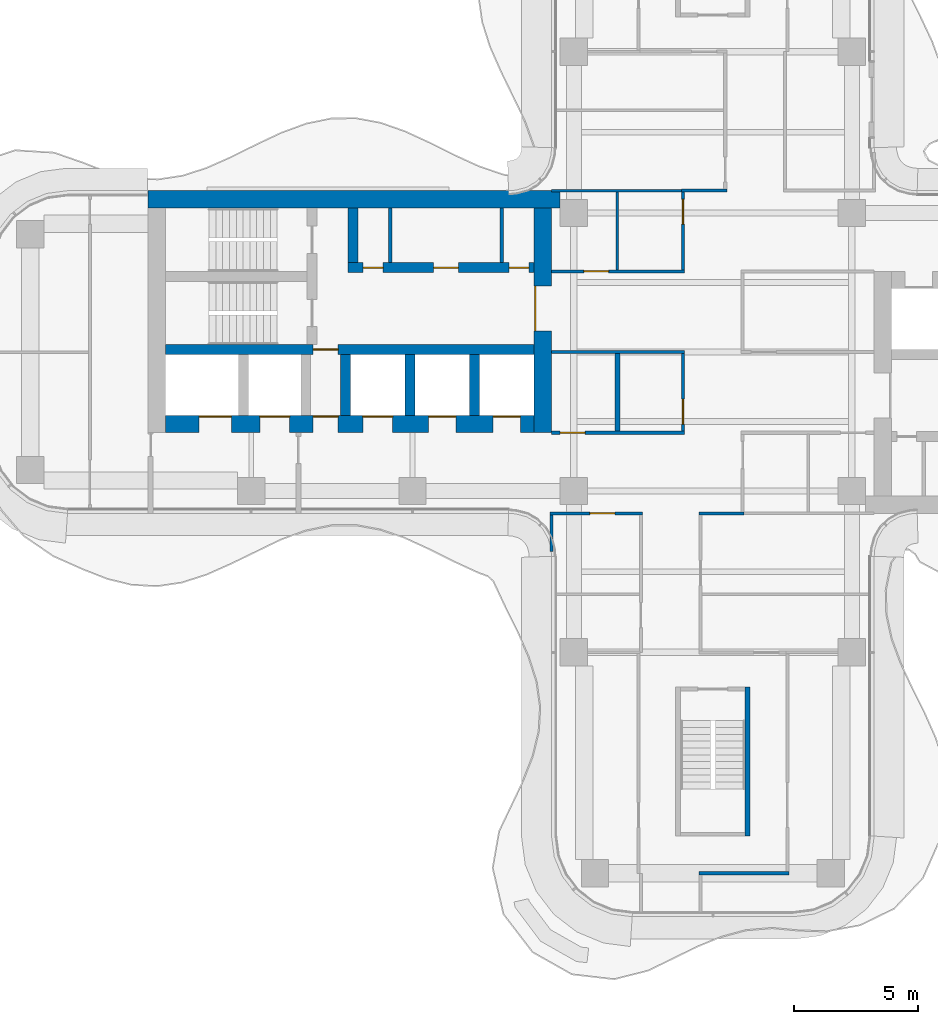
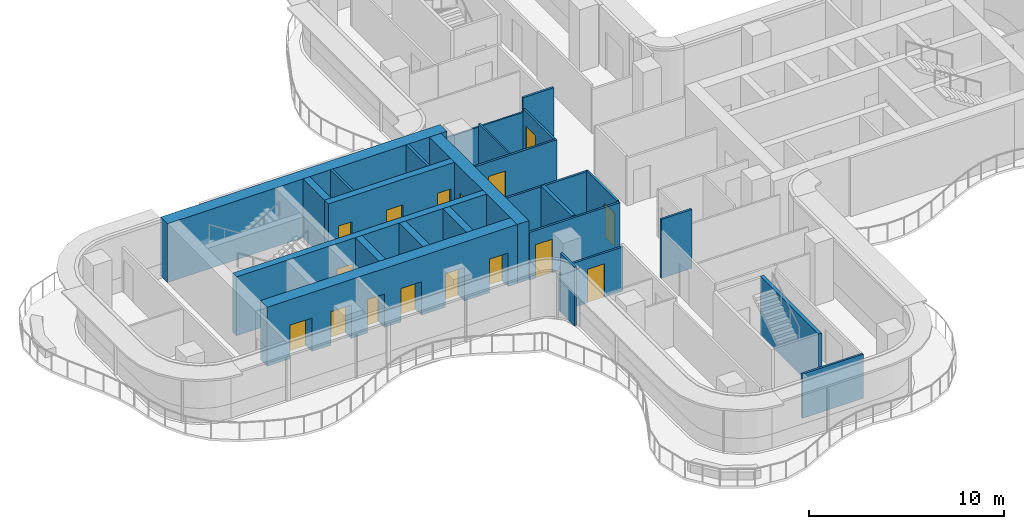
# One storey, part 12 of 17: 25 walls, 16 doors, 16 openings.
"""IFC4 building model written with IfcOpenShell, lengths in metres."""

from ifc_helpers import new_model, si_unit, direction, frame, frame_2d, origin, place, context, subcontext, project, spatial, rectangle, extrude, source, transform, mapped, material, layer, layer_set, type_object, element, fill, save


model = new_model("IFC4")

# Units and contexts
model_context = context("Model", 3, precision=1e-05, world=origin(), true_north=direction((0.0, 1.0)))
body_context = subcontext(model_context, "Body", "Model", "MODEL_VIEW")
ifc_project = project(units=[si_unit("LENGTHUNIT", "METRE"), si_unit("AREAUNIT", "SQUARE_METRE"), si_unit("VOLUMEUNIT", "CUBIC_METRE"), si_unit("PLANEANGLEUNIT", "RADIAN"), si_unit("MASSUNIT", "GRAM", prefix="KILO")], contexts=[model_context])

# Site, building, storey
site_placement = place(None, origin())
site = spatial("IfcSite", under=ifc_project, at=site_placement, CompositionType="ELEMENT")
building_placement = place(site_placement, origin())
building = spatial("IfcBuilding", under=site, at=building_placement, Name="Trellis Farm Tower", CompositionType="ELEMENT")
storey_placement = place(building_placement, frame((0.0, 0.0, 259.699951171875)))
storey = spatial("IfcBuildingStorey", under=building, at=storey_placement, Name="L58", CompositionType="ELEMENT", Elevation=259.699951171875)

# Wall, opening, door
ifc_material_1 = material(Name="Concrete C60/75", Category="concrete")
ifc_layer_1 = layer(ifc_material_1, 0.699951171875)
ifc_layer_set_1 = layer_set([ifc_layer_1], Name="CORE OUTER WALL 700 CONCRETE C60/75")
wall_type_1 = type_object("IfcWallType", Name="CORE OUTER WALL 700 CONCRETE C60/75", PredefinedType="SHEAR", material=ifc_layer_set_1)
shared_shape_1 = source(origin(), body_context, "Body", "SweptSolid", [
    extrude(rectangle(XDim=9.050048828125, YDim=0.699951171875, at=frame_2d((4.52490234375, 0.0))), origin(), (0.0, 0.0, 1.0), 3.699951171875),
])
wall_1_placement = place(storey_placement, frame((-6.85009765625, 5.800048828125, 0.0), z_axis=(0.0, 0.0, 1.0), x_axis=(0.0, -1.0, 0.0)))
wall_1 = element("IfcWall", 1, at=wall_1_placement, inside=storey, type_object=wall_type_1, Name="Core wall", PredefinedType="SHEAR", context=body_context, shape_type="MappedRepresentation", body=[
    mapped(shared_shape_1, transform((0.0, 0.0, 0.0))),
])
shared_shape_2 = source(origin(), body_context, "Body", "SweptSolid", [
    extrude(rectangle(XDim=1.800048828125, YDim=2.10009765625, at=frame_2d((0.89990234375, 1.050048828125))), frame((0.0, 0.360107421875, 0.0), z_axis=(0.0, -1.0, 0.0), x_axis=(1.0, 0.0, 0.0)), (0.0, 0.0, 1.0), 0.72021484375),
])
opening_1_placement = place(wall_1_placement, frame((3.14990234375, 0.0, 0.0)))
opening_1 = element("IfcOpeningElement", 2, at=opening_1_placement, cuts=wall_1, Name="Opening DC87", PredefinedType="OPENING", context=body_context, shape_type="MappedRepresentation", body=[
    mapped(shared_shape_2, transform((0.0, 0.0, 0.0))),
])
ifc_material_2 = material(Name="Steel", Category="steel")
door_type_1 = type_object("IfcDoorType", Name="CORE FIRE DOOR DOUBLE 1800 X 2100", OperationType="DOUBLE_DOOR_SINGLE_SWING", PredefinedType="DOOR", material=ifc_material_2)
shared_shape_3 = source(origin(), body_context, "Body", "SweptSolid", [
    extrude(rectangle(XDim=1.800048828125, YDim=2.10009765625, at=frame_2d((0.89990234375, 1.050048828125))), frame((0.0, -0.27490234375, 0.0), z_axis=(0.0, -1.0, 0.0), x_axis=(1.0, 0.0, 0.0)), (0.0, 0.0, 1.0), 0.050048828125),
])
door_1_placement = place(opening_1_placement, origin())
door_1 = element("IfcDoor", 3, at=door_1_placement, inside=storey, type_object=door_type_1, Name="Core door", OperationType="DOUBLE_DOOR_SINGLE_SWING", OverallHeight=2.10009765625, OverallWidth=1.800048828125, PredefinedType="DOOR", context=body_context, shape_type="MappedRepresentation", body=[
    mapped(shared_shape_3, transform((0.0, 0.0, 0.0))),
])
fill(opening_1, door_1)

# Walls
ifc_layer_2 = layer(ifc_material_1, 0.39990234375)
ifc_layer_set_2 = layer_set([ifc_layer_2], Name="CORE INNER WALL 400 CONCRETE C60/75")
wall_type_2 = type_object("IfcWallType", Name="CORE INNER WALL 400 CONCRETE C60/75", PredefinedType="SHEAR", material=ifc_layer_set_2)
shared_shape_4 = source(origin(), body_context, "Body", "SweptSolid", [
    extrude(rectangle(XDim=2.449951171875, YDim=0.39990234375, at=frame_2d((1.22509765625, 0.0))), origin(), (0.0, 0.0, 1.0), 3.699951171875),
])
for number, where, z_axis, x_axis, name in (
    (4, (-9.60009765625, -0.10009765625, 0.0), (0.0, 0.0, 1.0), (0.0, -1.0, 0.0), "Core wall"),
    (5, (-12.199951171875, -0.10009765625, 0.0), (0.0, 0.0, 1.0), (0.0, -1.0, 0.0), "Core wall"),
    (6, (-14.800048828125, -0.10009765625, 0.0), (0.0, 0.0, 1.0), (0.0, -1.0, 0.0), "Core wall"),
):
    element("IfcWall", number, at=place(storey_placement, frame(where, z_axis=z_axis, x_axis=x_axis)), inside=storey, type_object=wall_type_2, Name=name, PredefinedType="SHEAR", context=body_context, shape_type="MappedRepresentation", body=[
        mapped(shared_shape_4, transform((0.0, 0.0, 0.0))),
    ])

# Wall, openings, doors
shared_shape_5 = source(origin(), body_context, "Body", "SweptSolid", [
    extrude(rectangle(XDim=14.85009765625, YDim=0.699951171875, at=frame_2d((7.425048828125, 0.0))), origin(), (0.0, 0.0, 1.0), 3.699951171875),
])
wall_2_placement = place(storey_placement, frame((-7.199951171875, -2.89990234375, 0.0), z_axis=(0.0, 0.0, 1.0), x_axis=(-1.0, 0.0, 0.0)))
wall_2 = element("IfcWall", 7, at=wall_2_placement, inside=storey, type_object=wall_type_1, Name="Core wall", PredefinedType="SHEAR", context=body_context, shape_type="MappedRepresentation", body=[
    mapped(shared_shape_5, transform((0.0, 0.0, 0.0))),
])
shared_shape_6 = source(origin(), body_context, "Body", "SweptSolid", [
    extrude(rectangle(XDim=1.10009765625, YDim=2.10009765625, at=frame_2d((0.550048828125, 1.050048828125))), frame((0.0, 0.360107421875, 0.0), z_axis=(0.0, -1.0, 0.0), x_axis=(1.0, 0.0, 0.0)), (0.0, 0.0, 1.0), 0.72021484375),
])
opening_2_placement = place(wall_2_placement, frame((0.550048828125, 0.0, 0.0)))
opening_2 = element("IfcOpeningElement", 8, at=opening_2_placement, cuts=wall_2, Name="Opening LD12", PredefinedType="OPENING", context=body_context, shape_type="MappedRepresentation", body=[
    mapped(shared_shape_6, transform((0.0, 0.0, 0.0))),
])
opening_3_placement = place(wall_2_placement, frame((3.14990234375, 0.0, 0.0)))
opening_3 = element("IfcOpeningElement", 9, at=opening_3_placement, cuts=wall_2, Name="Opening LD13", PredefinedType="OPENING", context=body_context, shape_type="MappedRepresentation", body=[
    mapped(shared_shape_6, transform((0.0, 0.0, 0.0))),
])
shared_shape_7 = source(origin(), body_context, "Body", "SweptSolid", [
    extrude(rectangle(XDim=1.199951171875, YDim=2.10009765625, at=frame_2d((0.60009765625, 1.050048828125))), frame((0.0, 0.360107421875, 0.0), z_axis=(0.0, -1.0, 0.0), x_axis=(1.0, 0.0, 0.0)), (0.0, 0.0, 1.0), 0.72021484375),
])
opening_4_placement = place(wall_2_placement, frame((5.699951171875, 0.0, 0.0)))
opening_4 = element("IfcOpeningElement", 10, at=opening_4_placement, cuts=wall_2, Name="Opening LD14", PredefinedType="OPENING", context=body_context, shape_type="MappedRepresentation", body=[
    mapped(shared_shape_7, transform((0.0, 0.0, 0.0))),
])
shared_shape_8 = source(origin(), body_context, "Body", "SweptSolid", [
    extrude(rectangle(XDim=1.300048828125, YDim=2.10009765625, at=frame_2d((0.64990234375, 1.050048828125))), frame((0.0, 0.360107421875, 0.0), z_axis=(0.0, -1.0, 0.0), x_axis=(1.0, 0.0, 0.0)), (0.0, 0.0, 1.0), 0.72021484375),
])
opening_5_placement = place(wall_2_placement, frame((12.199951171875, 0.0, 0.0)))
opening_5 = element("IfcOpeningElement", 11, at=opening_5_placement, cuts=wall_2, Name="Opening LD15", PredefinedType="OPENING", context=body_context, shape_type="MappedRepresentation", body=[
    mapped(shared_shape_8, transform((0.0, 0.0, 0.0))),
])
opening_6_placement = place(wall_2_placement, frame((9.85009765625, 0.0, 0.0)))
opening_6 = element("IfcOpeningElement", 12, at=opening_6_placement, cuts=wall_2, Name="Opening LD16", PredefinedType="OPENING", context=body_context, shape_type="MappedRepresentation", body=[
    mapped(shared_shape_7, transform((0.0, 0.0, 0.0))),
])
shared_shape_9 = source(origin(), body_context, "Body", "SweptSolid", [
    extrude(rectangle(XDim=1.0, YDim=2.10009765625, at=frame_2d((0.5, 1.050048828125))), frame((0.0, 0.360107421875, 0.0), z_axis=(0.0, -1.0, 0.0), x_axis=(1.0, 0.0, 0.0)), (0.0, 0.0, 1.0), 0.72021484375),
])
opening_7_placement = place(wall_2_placement, frame((7.89990234375, 0.0, 0.0)))
opening_7 = element("IfcOpeningElement", 13, at=opening_7_placement, cuts=wall_2, Name="Opening DC92", PredefinedType="OPENING", context=body_context, shape_type="MappedRepresentation", body=[
    mapped(shared_shape_9, transform((0.0, 0.0, 0.0))),
])
door_type_2 = type_object("IfcDoorType", Name="CORE FIRE DOOR 1000 X 2100", OperationType="NOTDEFINED", PredefinedType="DOOR", material=ifc_material_2)
shared_shape_10 = source(origin(), body_context, "Body", "SweptSolid", [
    extrude(rectangle(XDim=1.0, YDim=2.10009765625, at=frame_2d((0.5, 1.050048828125))), frame((0.0, -0.27490234375, 0.0), z_axis=(0.0, -1.0, 0.0), x_axis=(1.0, 0.0, 0.0)), (0.0, 0.0, 1.0), 0.050048828125),
])
door_2_placement = place(opening_7_placement, origin())
door_2 = element("IfcDoor", 14, at=door_2_placement, inside=storey, type_object=door_type_2, Name="Core door", OperationType="SINGLE_SWING_LEFT", OverallHeight=2.10009765625, OverallWidth=1.0, PredefinedType="DOOR", context=body_context, shape_type="MappedRepresentation", body=[
    mapped(shared_shape_10, transform((0.0, 0.0, 0.0))),
])
fill(opening_7, door_2)
ifc_material_3 = material(Name="Stainless steel", Category="steel")
door_type_3 = type_object("IfcDoorType", Name="LIFT LANDING DOOR 1300 X 2100", OperationType="DOUBLE_DOOR_SLIDING", PredefinedType="DOOR", material=ifc_material_3)
shared_shape_11 = source(origin(), body_context, "Body", "SweptSolid", [
    extrude(rectangle(XDim=1.300048828125, YDim=2.10009765625, at=frame_2d((0.64990234375, 1.050048828125))), frame((0.0, -0.27490234375, 0.0), z_axis=(0.0, -1.0, 0.0), x_axis=(1.0, 0.0, 0.0)), (0.0, 0.0, 1.0), 0.050048828125),
])
door_3_placement = place(opening_5_placement, origin())
door_3 = element("IfcDoor", 15, at=door_3_placement, inside=storey, type_object=door_type_3, Name="Lift landing door", OperationType="DOUBLE_DOOR_SLIDING", OverallHeight=2.10009765625, OverallWidth=1.300048828125, PredefinedType="DOOR", context=body_context, shape_type="MappedRepresentation", body=[
    mapped(shared_shape_11, transform((0.0, 0.0, 0.0))),
])
fill(opening_5, door_3)
door_type_4 = type_object("IfcDoorType", Name="LIFT LANDING DOOR 1200 X 2100", OperationType="DOUBLE_DOOR_SLIDING", PredefinedType="DOOR", material=ifc_material_3)
shared_shape_12 = source(origin(), body_context, "Body", "SweptSolid", [
    extrude(rectangle(XDim=1.199951171875, YDim=2.10009765625, at=frame_2d((0.60009765625, 1.050048828125))), frame((0.0, -0.27490234375, 0.0), z_axis=(0.0, -1.0, 0.0), x_axis=(1.0, 0.0, 0.0)), (0.0, 0.0, 1.0), 0.050048828125),
])
door_4_placement = place(opening_4_placement, origin())
door_4 = element("IfcDoor", 16, at=door_4_placement, inside=storey, type_object=door_type_4, Name="Lift landing door", OperationType="DOUBLE_DOOR_SLIDING", OverallHeight=2.10009765625, OverallWidth=1.199951171875, PredefinedType="DOOR", context=body_context, shape_type="MappedRepresentation", body=[
    mapped(shared_shape_12, transform((0.0, 0.0, 0.0))),
])
fill(opening_4, door_4)
door_5_placement = place(opening_6_placement, origin())
door_5 = element("IfcDoor", 17, at=door_5_placement, inside=storey, type_object=door_type_4, Name="Lift landing door", OperationType="DOUBLE_DOOR_SLIDING", OverallHeight=2.10009765625, OverallWidth=1.199951171875, PredefinedType="DOOR", context=body_context, shape_type="MappedRepresentation", body=[
    mapped(shared_shape_12, transform((0.0, 0.0, 0.0))),
])
fill(opening_6, door_5)
door_type_5 = type_object("IfcDoorType", Name="LIFT LANDING DOOR 1100 X 2100", OperationType="DOUBLE_DOOR_SLIDING", PredefinedType="DOOR", material=ifc_material_3)
shared_shape_13 = source(origin(), body_context, "Body", "SweptSolid", [
    extrude(rectangle(XDim=1.10009765625, YDim=2.10009765625, at=frame_2d((0.550048828125, 1.050048828125))), frame((0.0, -0.27490234375, 0.0), z_axis=(0.0, -1.0, 0.0), x_axis=(1.0, 0.0, 0.0)), (0.0, 0.0, 1.0), 0.050048828125),
])
door_6_placement = place(opening_2_placement, origin())
door_6 = element("IfcDoor", 18, at=door_6_placement, inside=storey, type_object=door_type_5, Name="Lift landing door", OperationType="DOUBLE_DOOR_SLIDING", OverallHeight=2.10009765625, OverallWidth=1.10009765625, PredefinedType="DOOR", context=body_context, shape_type="MappedRepresentation", body=[
    mapped(shared_shape_13, transform((0.0, 0.0, 0.0))),
])
fill(opening_2, door_6)
door_7_placement = place(opening_3_placement, origin())
door_7 = element("IfcDoor", 19, at=door_7_placement, inside=storey, type_object=door_type_5, Name="Lift landing door", OperationType="DOUBLE_DOOR_SLIDING", OverallHeight=2.10009765625, OverallWidth=1.10009765625, PredefinedType="DOOR", context=body_context, shape_type="MappedRepresentation", body=[
    mapped(shared_shape_13, transform((0.0, 0.0, 0.0))),
])
fill(opening_3, door_7)

shared_shape_14 = source(origin(), body_context, "Body", "SweptSolid", [
    extrude(rectangle(XDim=7.5, YDim=0.39990234375, at=frame_2d((3.75, 0.0))), origin(), (0.0, 0.0, 1.0), 3.699951171875),
])
wall_3_placement = place(storey_placement, frame((-7.199951171875, 3.39990234375, 0.0), z_axis=(0.0, 0.0, 1.0), x_axis=(-1.0, 0.0, 0.0)))
wall_3 = element("IfcWall", 20, at=wall_3_placement, inside=storey, type_object=wall_type_2, Name="Core wall", PredefinedType="SHEAR", context=body_context, shape_type="MappedRepresentation", body=[
    mapped(shared_shape_14, transform((0.0, 0.0, 0.0))),
])
shared_shape_15 = source(origin(), body_context, "Body", "SweptSolid", [
    extrude(rectangle(XDim=0.800048828125, YDim=2.10009765625, at=frame_2d((0.39990234375, 1.050048828125))), frame((0.0, 0.2099609375, 0.0), z_axis=(0.0, -1.0, 0.0), x_axis=(1.0, 0.0, 0.0)), (0.0, 0.0, 1.0), 0.419921875),
])
opening_8_placement = place(wall_3_placement, frame((0.21240234375, 0.0, 0.0)))
opening_8 = element("IfcOpeningElement", 21, at=opening_8_placement, cuts=wall_3, Name="Opening DC137", PredefinedType="OPENING", context=body_context, shape_type="MappedRepresentation", body=[
    mapped(shared_shape_15, transform((0.0, 0.0, 0.0))),
])
shared_shape_16 = source(origin(), body_context, "Body", "SweptSolid", [
    extrude(rectangle(XDim=1.0, YDim=2.10009765625, at=frame_2d((0.5, 1.050048828125))), frame((0.0, 0.2099609375, 0.0), z_axis=(0.0, -1.0, 0.0), x_axis=(1.0, 0.0, 0.0)), (0.0, 0.0, 1.0), 0.419921875),
])
opening_9_placement = place(wall_3_placement, frame((3.050048828125, 0.0, 0.0)))
opening_9 = element("IfcOpeningElement", 22, at=opening_9_placement, cuts=wall_3, Name="Opening DC148", PredefinedType="OPENING", context=body_context, shape_type="MappedRepresentation", body=[
    mapped(shared_shape_16, transform((0.0, 0.0, 0.0))),
])
opening_10_placement = place(wall_3_placement, frame((6.08740234375, 0.0, 0.0)))
opening_10 = element("IfcOpeningElement", 23, at=opening_10_placement, cuts=wall_3, Name="Opening DC149", PredefinedType="OPENING", context=body_context, shape_type="MappedRepresentation", body=[
    mapped(shared_shape_15, transform((0.0, 0.0, 0.0))),
])
shared_shape_17 = source(origin(), body_context, "Body", "SweptSolid", [
    extrude(rectangle(XDim=1.0, YDim=2.10009765625, at=frame_2d((0.5, 1.050048828125))), frame((0.0, 0.02490234375, 0.0), z_axis=(0.0, -1.0, 0.0), x_axis=(1.0, 0.0, 0.0)), (0.0, 0.0, 1.0), 0.050048828125),
])
door_8_placement = place(opening_9_placement, origin())
door_8 = element("IfcDoor", 24, at=door_8_placement, inside=storey, type_object=door_type_2, Name="Core door", OperationType="SINGLE_SWING_RIGHT", OverallHeight=2.10009765625, OverallWidth=1.0, PredefinedType="DOOR", context=body_context, shape_type="MappedRepresentation", body=[
    mapped(shared_shape_17, transform((0.0, 0.0, 0.0))),
])
fill(opening_9, door_8)
door_type_6 = type_object("IfcDoorType", Name="CORE FIRE DOOR 800 X 2100", OperationType="NOTDEFINED", PredefinedType="DOOR", material=ifc_material_2)
shared_shape_18 = source(origin(), body_context, "Body", "SweptSolid", [
    extrude(rectangle(XDim=0.800048828125, YDim=2.10009765625, at=frame_2d((0.39990234375, 1.050048828125))), frame((0.0, 0.02490234375, 0.0), z_axis=(0.0, -1.0, 0.0), x_axis=(1.0, 0.0, 0.0)), (0.0, 0.0, 1.0), 0.050048828125),
])
door_9_placement = place(opening_8_placement, origin())
door_9 = element("IfcDoor", 25, at=door_9_placement, inside=storey, type_object=door_type_6, Name="Core door", OperationType="SINGLE_SWING_LEFT", OverallHeight=2.10009765625, OverallWidth=0.800048828125, PredefinedType="DOOR", context=body_context, shape_type="MappedRepresentation", body=[
    mapped(shared_shape_18, transform((0.0, 0.0, 0.0))),
])
fill(opening_8, door_9)
door_10_placement = place(opening_10_placement, origin())
door_10 = element("IfcDoor", 26, at=door_10_placement, inside=storey, type_object=door_type_6, Name="Core door", OperationType="SINGLE_SWING_LEFT", OverallHeight=2.10009765625, OverallWidth=0.800048828125, PredefinedType="DOOR", context=body_context, shape_type="MappedRepresentation", body=[
    mapped(shared_shape_18, transform((0.0, 0.0, 0.0))),
])
fill(opening_10, door_10)

# Wall, opening, door
shared_shape_19 = source(origin(), body_context, "Body", "SweptSolid", [
    extrude(rectangle(XDim=14.85009765625, YDim=0.39990234375, at=frame_2d((7.425048828125, 0.0))), origin(), (0.0, 0.0, 1.0), 3.699951171875),
])
wall_4_placement = place(storey_placement, frame((-7.199951171875, 0.10009765625, 0.0), z_axis=(0.0, 0.0, 1.0), x_axis=(-1.0, 0.0, 0.0)))
wall_4 = element("IfcWall", 27, at=wall_4_placement, inside=storey, type_object=wall_type_2, Name="Core wall", PredefinedType="SHEAR", context=body_context, shape_type="MappedRepresentation", body=[
    mapped(shared_shape_19, transform((0.0, 0.0, 0.0))),
])
opening_11_placement = place(wall_4_placement, frame((7.89990234375, 0.0, 0.0)))
opening_11 = element("IfcOpeningElement", 28, at=opening_11_placement, cuts=wall_4, Name="Opening DC91", PredefinedType="OPENING", context=body_context, shape_type="MappedRepresentation", body=[
    mapped(shared_shape_16, transform((0.0, 0.0, 0.0))),
])
door_11_placement = place(opening_11_placement, origin())
door_11 = element("IfcDoor", 29, at=door_11_placement, inside=storey, type_object=door_type_2, Name="Core door", OperationType="SINGLE_SWING_RIGHT", OverallHeight=2.10009765625, OverallWidth=1.0, PredefinedType="DOOR", context=body_context, shape_type="MappedRepresentation", body=[
    mapped(shared_shape_17, transform((0.0, 0.0, 0.0))),
])
fill(opening_11, door_11)

# Walls
shared_shape_20 = source(origin(), body_context, "Body", "SweptSolid", [
    extrude(rectangle(XDim=2.199951171875, YDim=0.39990234375, at=frame_2d((1.10009765625, 0.0))), origin(), (0.0, 0.0, 1.0), 3.699951171875),
])
wall_5_placement = place(storey_placement, frame((-14.5, 5.800048828125, 0.0), z_axis=(0.0, 0.0, 1.0), x_axis=(0.0, -1.0, 0.0)))
element("IfcWall", 30, at=wall_5_placement, inside=storey, type_object=wall_type_2, Name="Core wall", PredefinedType="SHEAR", context=body_context, shape_type="MappedRepresentation", body=[
    mapped(shared_shape_20, transform((0.0, 0.0, 0.0))),
])
ifc_material_4 = material(Name="Masonry blockwork", Category="masonry")
ifc_layer_3 = layer(ifc_material_4, 0.14990234375)
ifc_layer_set_3 = layer_set([ifc_layer_3], Name="CORE PARTITION 150 BLOCKWORK")
wall_type_3 = type_object("IfcWallType", Name="CORE PARTITION 150 BLOCKWORK", PredefinedType="PARTITIONING", material=ifc_layer_set_3)
shared_shape_21 = source(origin(), body_context, "Body", "SweptSolid", [
    extrude(rectangle(XDim=2.199951171875, YDim=0.14990234375, at=frame_2d((1.10009765625, 0.0))), origin(), (0.0, 0.0, 1.0), 3.699951171875),
])
for number, where, z_axis, x_axis, name in (
    (31, (-8.5, 5.800048828125, 0.0), (0.0, 0.0, 1.0), (0.0, -1.0, 0.0), "Core room partition"),
    (32, (-13.0, 5.800048828125, 0.0), (0.0, 0.0, 1.0), (0.0, -1.0, 0.0), "Core room partition"),
):
    element("IfcWall", number, at=place(storey_placement, frame(where, z_axis=z_axis, x_axis=x_axis)), inside=storey, type_object=wall_type_3, Name=name, PredefinedType="PARTITIONING", context=body_context, shape_type="MappedRepresentation", body=[
        mapped(shared_shape_21, transform((0.0, 0.0, 0.0))),
    ])
shared_shape_22 = source(origin(), body_context, "Body", "SweptSolid", [
    extrude(rectangle(XDim=16.60009765625, YDim=0.699951171875, at=frame_2d((8.300048828125, 0.0))), origin(), (0.0, 0.0, 1.0), 3.699951171875),
])
wall_6_placement = place(storey_placement, frame((-6.14990234375, 6.14990234375, 0.0), z_axis=(0.0, 0.0, 1.0), x_axis=(-1.0, 0.0, 0.0)))
element("IfcWall", 33, at=wall_6_placement, inside=storey, type_object=wall_type_1, Name="Core wall", PredefinedType="SHEAR", context=body_context, shape_type="MappedRepresentation", body=[
    mapped(shared_shape_22, transform((0.0, 0.0, 0.0))),
])
ifc_layer_4 = layer(ifc_material_1, 0.199951171875)
ifc_layer_set_4 = layer_set([ifc_layer_4], Name="CORE STAIR ENCLOSURE WALL 200 CONCRETE C60/75")
wall_type_4 = type_object("IfcWallType", Name="CORE STAIR ENCLOSURE WALL 200 CONCRETE C60/75", PredefinedType="SHEAR", material=ifc_layer_set_4)
shared_shape_23 = source(origin(), body_context, "Body", "SweptSolid", [
    extrude(rectangle(XDim=6.0, YDim=0.199951171875, at=frame_2d((3.0, 0.0))), origin(), (0.0, 0.0, 1.0), 3.699951171875),
])
wall_7_placement = place(storey_placement, frame((1.39990234375, -13.5, 0.0), z_axis=(0.0, 0.0, 1.0), x_axis=(0.0, -1.0, 0.0)))
element("IfcWall", 34, at=wall_7_placement, inside=storey, type_object=wall_type_4, Name="Stair enclosure wall", PredefinedType="SHEAR", context=body_context, shape_type="MappedRepresentation", body=[
    mapped(shared_shape_23, transform((0.0, 0.0, 0.0))),
])

# Wall, opening, door
ifc_material_5 = material(Name="Plasterboard on steel studs, mineral wool", Category="steel")
ifc_layer_5 = layer(ifc_material_5, 0.125)
ifc_layer_set_5 = layer_set([ifc_layer_5], Name="PARTITION 125 STUD EI 60")
wall_type_5 = type_object("IfcWallType", Name="PARTITION 125 STUD EI 60", PredefinedType="PARTITIONING", material=ifc_layer_set_5)
shared_shape_24 = source(origin(), body_context, "Body", "SweptSolid", [
    extrude(rectangle(XDim=3.137451171875, YDim=0.125, at=frame_2d((1.56884765625, 0.0))), origin(), (0.0, 0.0, 1.0), 2.99658203125),
])
wall_8_placement = place(storey_placement, frame((-1.199951171875, 6.449951171875, 0.0), z_axis=(0.0, 0.0, 1.0), x_axis=(0.0, -1.0, 0.0)))
wall_8 = element("IfcWall", 35, at=wall_8_placement, inside=storey, type_object=wall_type_5, Name="Partition PW1", PredefinedType="PARTITIONING", context=body_context, shape_type="MappedRepresentation", body=[
    mapped(shared_shape_24, transform((0.0, 0.0, 0.0))),
])
shared_shape_25 = source(origin(), body_context, "Body", "SweptSolid", [
    extrude(rectangle(XDim=1.0, YDim=2.10009765625, at=frame_2d((0.5, 1.050048828125))), frame((0.0, 0.072509765625, 0.0), z_axis=(0.0, -1.0, 0.0), x_axis=(1.0, 0.0, 0.0)), (0.0, 0.0, 1.0), 0.14501953125),
])
opening_12_placement = place(wall_8_placement, frame((0.300048828125, 0.0, 0.0)))
opening_12 = element("IfcOpeningElement", 36, at=opening_12_placement, cuts=wall_8, Name="Opening D112", PredefinedType="OPENING", context=body_context, shape_type="MappedRepresentation", body=[
    mapped(shared_shape_25, transform((0.0, 0.0, 0.0))),
])
ifc_material_6 = material(Name="Fire-rated timber door leaf in a hollow metal frame", Category="wood")
door_type_7 = type_object("IfcDoorType", Name="DOOR 1000x2100 FD30S", OperationType="NOTDEFINED", PredefinedType="DOOR", material=ifc_material_6)
door_12_placement = place(opening_12_placement, origin())
door_12 = element("IfcDoor", 37, at=door_12_placement, inside=storey, type_object=door_type_7, Name="Door D112", OperationType="SINGLE_SWING_LEFT", OverallHeight=2.10009765625, OverallWidth=1.0, PredefinedType="DOOR", context=body_context, shape_type="MappedRepresentation", body=[
    mapped(shared_shape_17, transform((0.0, 0.0, 0.0))),
])
fill(opening_12, door_12)

shared_shape_26 = source(origin(), body_context, "Body", "SweptSolid", [
    extrude(rectangle(XDim=3.125, YDim=0.125, at=frame_2d((1.5625, 0.0))), origin(), (0.0, 0.0, 1.0), 3.06787109375),
])
wall_9_placement = place(storey_placement, frame((-1.199951171875, -0.0625, 0.0), z_axis=(0.0, 0.0, 1.0), x_axis=(0.0, -1.0, 0.0)))
wall_9 = element("IfcWall", 38, at=wall_9_placement, inside=storey, type_object=wall_type_5, Name="Partition PW1", PredefinedType="PARTITIONING", context=body_context, shape_type="MappedRepresentation", body=[
    mapped(shared_shape_26, transform((0.0, 0.0, 0.0))),
])
opening_13_placement = place(wall_9_placement, frame((1.83740234375, 0.0, 0.0)))
opening_13 = element("IfcOpeningElement", 39, at=opening_13_placement, cuts=wall_9, Name="Opening D301", PredefinedType="OPENING", context=body_context, shape_type="MappedRepresentation", body=[
    mapped(shared_shape_25, transform((0.0, 0.0, 0.0))),
])
door_type_8 = type_object("IfcDoorType", Name="DOOR 1000x2100 FD60", OperationType="NOTDEFINED", PredefinedType="DOOR", material=ifc_material_6)
door_13_placement = place(opening_13_placement, origin())
door_13 = element("IfcDoor", 40, at=door_13_placement, inside=storey, type_object=door_type_8, Name="Door D301", OperationType="SINGLE_SWING_RIGHT", OverallHeight=2.10009765625, OverallWidth=1.0, PredefinedType="DOOR", context=body_context, shape_type="MappedRepresentation", body=[
    mapped(shared_shape_17, transform((0.0, 0.0, 0.0))),
])
fill(opening_13, door_13)

# Wall
shared_shape_27 = source(origin(), body_context, "Body", "SweptSolid", [
    extrude(rectangle(XDim=1.468994140625, YDim=0.125, at=frame_2d((0.734375, 0.0))), origin(), (0.0, 0.0, 1.0), 3.699951171875),
])
wall_10_placement = place(storey_placement, frame((-6.5, -6.5625, 0.0), z_axis=(0.0, 0.0, 1.0), x_axis=(0.0, -1.0, 0.0)))
element("IfcWall", 41, at=wall_10_placement, inside=storey, type_object=wall_type_5, Name="Partition PW1", PredefinedType="PARTITIONING", context=body_context, shape_type="MappedRepresentation", body=[
    mapped(shared_shape_27, transform((0.0, 0.0, 0.0))),
])

# Wall, opening, door
shared_shape_28 = source(origin(), body_context, "Body", "SweptSolid", [
    extrude(rectangle(XDim=5.362548828125, YDim=0.125, at=frame_2d((2.68115234375, 0.0))), origin(), (0.0, 0.0, 1.0), 2.99658203125),
])
wall_11_placement = place(storey_placement, frame((-1.137451171875, -3.25, 0.0), z_axis=(0.0, 0.0, 1.0), x_axis=(-1.0, 0.0, 0.0)))
wall_11 = element("IfcWall", 42, at=wall_11_placement, inside=storey, type_object=wall_type_5, Name="Partition PW1", PredefinedType="PARTITIONING", context=body_context, shape_type="MappedRepresentation", body=[
    mapped(shared_shape_28, transform((0.0, 0.0, 0.0))),
])
opening_14_placement = place(wall_11_placement, frame((4.012451171875, 0.0, 0.0)))
opening_14 = element("IfcOpeningElement", 43, at=opening_14_placement, cuts=wall_11, Name="Opening D106", PredefinedType="OPENING", context=body_context, shape_type="MappedRepresentation", body=[
    mapped(shared_shape_25, transform((0.0, 0.0, 0.0))),
])
door_14_placement = place(opening_14_placement, origin())
door_14 = element("IfcDoor", 44, at=door_14_placement, inside=storey, type_object=door_type_7, Name="Door D106", OperationType="SINGLE_SWING_RIGHT", OverallHeight=2.10009765625, OverallWidth=1.0, PredefinedType="DOOR", context=body_context, shape_type="MappedRepresentation", body=[
    mapped(shared_shape_17, transform((0.0, 0.0, 0.0))),
])
fill(opening_14, door_14)

# Wall
wall_12_placement = place(storey_placement, frame((-1.137451171875, 0.0, 0.0), z_axis=(0.0, 0.0, 1.0), x_axis=(-1.0, 0.0, 0.0)))
element("IfcWall", 45, at=wall_12_placement, inside=storey, type_object=wall_type_5, Name="Partition PW1", PredefinedType="PARTITIONING", context=body_context, shape_type="MappedRepresentation", body=[
    mapped(shared_shape_28, transform((0.0, 0.0, 0.0))),
])

# Wall, opening, door
wall_13_placement = place(storey_placement, frame((-6.5, 3.25, 0.0), z_axis=(0.0, 0.0, 1.0), x_axis=(1.0, 0.0, 0.0)))
wall_13 = element("IfcWall", 46, at=wall_13_placement, inside=storey, type_object=wall_type_5, Name="Partition PW1", PredefinedType="PARTITIONING", context=body_context, shape_type="MappedRepresentation", body=[
    mapped(shared_shape_28, transform((0.0, 0.0, 0.0))),
])
opening_15_placement = place(wall_13_placement, frame((1.300048828125, 0.0, 0.0)))
opening_15 = element("IfcOpeningElement", 47, at=opening_15_placement, cuts=wall_13, Name="Opening D110", PredefinedType="OPENING", context=body_context, shape_type="MappedRepresentation", body=[
    mapped(shared_shape_25, transform((0.0, 0.0, 0.0))),
])
door_15_placement = place(opening_15_placement, origin())
door_15 = element("IfcDoor", 48, at=door_15_placement, inside=storey, type_object=door_type_7, Name="Door D110", OperationType="SINGLE_SWING_RIGHT", OverallHeight=2.10009765625, OverallWidth=1.0, PredefinedType="DOOR", context=body_context, shape_type="MappedRepresentation", body=[
    mapped(shared_shape_17, transform((0.0, 0.0, 0.0))),
])
fill(opening_15, door_15)

# Walls
ifc_material_7 = material(Name="Plasterboard on steel studs", Category="steel")
ifc_layer_6 = layer(ifc_material_7, 0.10009765625)
ifc_layer_set_6 = layer_set([ifc_layer_6], Name="PARTITION 100 STUD EI 30")
wall_type_6 = type_object("IfcWallType", Name="PARTITION 100 STUD EI 30", PredefinedType="PARTITIONING", material=ifc_layer_set_6)
shared_shape_29 = source(origin(), body_context, "Body", "SweptSolid", [
    extrude(rectangle(XDim=5.362548828125, YDim=0.10009765625, at=frame_2d((2.68115234375, 0.0))), origin(), (0.0, 0.0, 1.0), 2.780029296875),
])
wall_14_placement = place(storey_placement, frame((-6.5, 6.5, 0.0), z_axis=(0.0, 0.0, 1.0), x_axis=(1.0, 0.0, 0.0)))
element("IfcWall", 49, at=wall_14_placement, inside=storey, type_object=wall_type_6, Name="Partition PW2", PredefinedType="PARTITIONING", context=body_context, shape_type="MappedRepresentation", body=[
    mapped(shared_shape_29, transform((0.0, 0.0, 0.0))),
])
shared_shape_30 = source(origin(), body_context, "Body", "SweptSolid", [
    extrude(rectangle(XDim=1.824951171875, YDim=0.125, at=frame_2d((0.91259765625, 0.0))), origin(), (0.0, 0.0, 1.0), 3.699951171875),
])
for number, where, z_axis, x_axis, name in (
    (50, (1.262451171875, -6.5, 0.0), (0.0, 0.0, 1.0), (-1.0, 0.0, 0.0), "Partition PW1"),
    (51, (-1.262451171875, 6.5, 0.0), (0.0, 0.0, 1.0), (1.0, 0.0, 0.0), "Partition PW1"),
):
    element("IfcWall", number, at=place(storey_placement, frame(where, z_axis=z_axis, x_axis=x_axis)), inside=storey, type_object=wall_type_5, Name=name, PredefinedType="PARTITIONING", context=body_context, shape_type="MappedRepresentation", body=[
        mapped(shared_shape_30, transform((0.0, 0.0, 0.0))),
    ])

# Wall, opening, door
shared_shape_31 = source(origin(), body_context, "Body", "SweptSolid", [
    extrude(rectangle(XDim=3.72509765625, YDim=0.125, at=frame_2d((1.862548828125, 0.0))), origin(), (0.0, 0.0, 1.0), 2.780029296875),
])
wall_15_placement = place(storey_placement, frame((-2.83740234375, -6.5, 0.0), z_axis=(0.0, 0.0, 1.0), x_axis=(-1.0, 0.0, 0.0)))
wall_15 = element("IfcWall", 52, at=wall_15_placement, inside=storey, type_object=wall_type_5, Name="Partition PW1", PredefinedType="PARTITIONING", context=body_context, shape_type="MappedRepresentation", body=[
    mapped(shared_shape_31, transform((0.0, 0.0, 0.0))),
])
opening_16_placement = place(wall_15_placement, frame((1.112548828125, 0.0, 0.0)))
opening_16 = element("IfcOpeningElement", 53, at=opening_16_placement, cuts=wall_15, Name="Opening D105", PredefinedType="OPENING", context=body_context, shape_type="MappedRepresentation", body=[
    mapped(shared_shape_25, transform((0.0, 0.0, 0.0))),
])
door_16_placement = place(opening_16_placement, origin())
door_16 = element("IfcDoor", 54, at=door_16_placement, inside=storey, type_object=door_type_7, Name="Door D105", OperationType="SINGLE_SWING_RIGHT", OverallHeight=2.10009765625, OverallWidth=1.0, PredefinedType="DOOR", context=body_context, shape_type="MappedRepresentation", body=[
    mapped(shared_shape_17, transform((0.0, 0.0, 0.0))),
])
fill(opening_16, door_16)

# Walls
shared_shape_32 = source(origin(), body_context, "Body", "SweptSolid", [
    extrude(rectangle(XDim=3.625, YDim=0.125, at=frame_2d((1.8125, 0.0))), origin(), (0.0, 0.0, 1.0), 2.780029296875),
])
wall_16_placement = place(storey_placement, frame((3.0625, -21.0, 0.0), z_axis=(0.0, 0.0, 1.0), x_axis=(-1.0, 0.0, 0.0)))
element("IfcWall", 55, at=wall_16_placement, inside=storey, type_object=wall_type_5, Name="Partition PW1", PredefinedType="PARTITIONING", context=body_context, shape_type="MappedRepresentation", body=[
    mapped(shared_shape_32, transform((0.0, 0.0, 0.0))),
])
shared_shape_33 = source(origin(), body_context, "Body", "SweptSolid", [
    extrude(rectangle(XDim=3.137451171875, YDim=0.10009765625, at=frame_2d((1.56884765625, 0.0))), origin(), (0.0, 0.0, 1.0), 2.99658203125),
])
wall_17_placement = place(storey_placement, frame((-3.85009765625, 3.3125, 0.0), z_axis=(0.0, 0.0, 1.0), x_axis=(0.0, 1.0, 0.0)))
element("IfcWall", 56, at=wall_17_placement, inside=storey, type_object=wall_type_6, Name="Partition PW2", PredefinedType="PARTITIONING", context=body_context, shape_type="MappedRepresentation", body=[
    mapped(shared_shape_33, transform((0.0, 0.0, 0.0))),
])
ifc_material_8 = material(Name="Lightweight blockwork, plastered", Category="masonry")
ifc_layer_7 = layer(ifc_material_8, 0.199951171875)
ifc_layer_set_7 = layer_set([ifc_layer_7], Name="BLOCK WALL 200 EI 120")
wall_type_7 = type_object("IfcWallType", Name="BLOCK WALL 200 EI 120", PredefinedType="PARTITIONING", material=ifc_layer_set_7)
shared_shape_34 = source(origin(), body_context, "Body", "SweptSolid", [
    extrude(rectangle(XDim=3.125, YDim=0.199951171875, at=frame_2d((1.5625, 0.0))), origin(), (0.0, 0.0, 1.0), 3.06787109375),
])
wall_18_placement = place(storey_placement, frame((-3.85009765625, -3.1875, 0.0), z_axis=(0.0, 0.0, 1.0), x_axis=(0.0, 1.0, 0.0)))
element("IfcWall", 57, at=wall_18_placement, inside=storey, type_object=wall_type_7, Name="Partition PW3", PredefinedType="PARTITIONING", context=body_context, shape_type="MappedRepresentation", body=[
    mapped(shared_shape_34, transform((0.0, 0.0, 0.0))),
])

save(model, "model.ifc")
